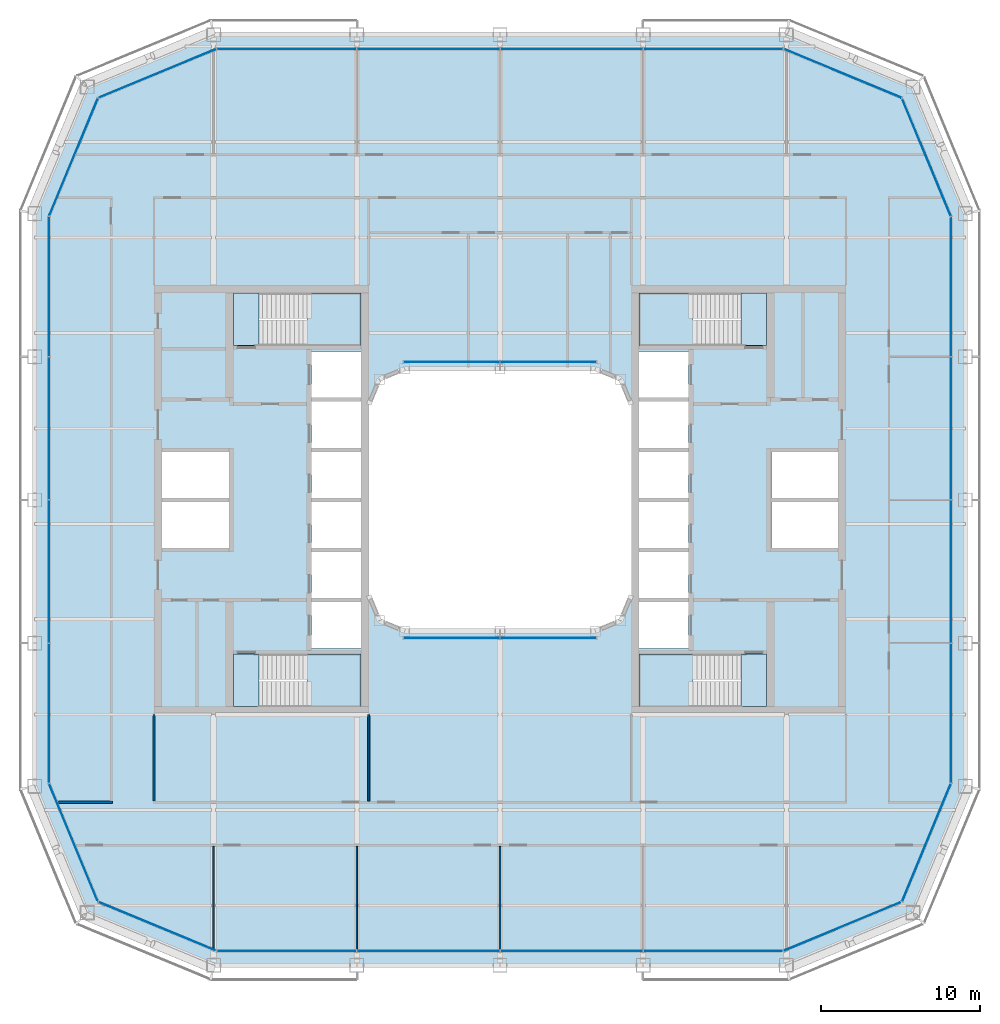
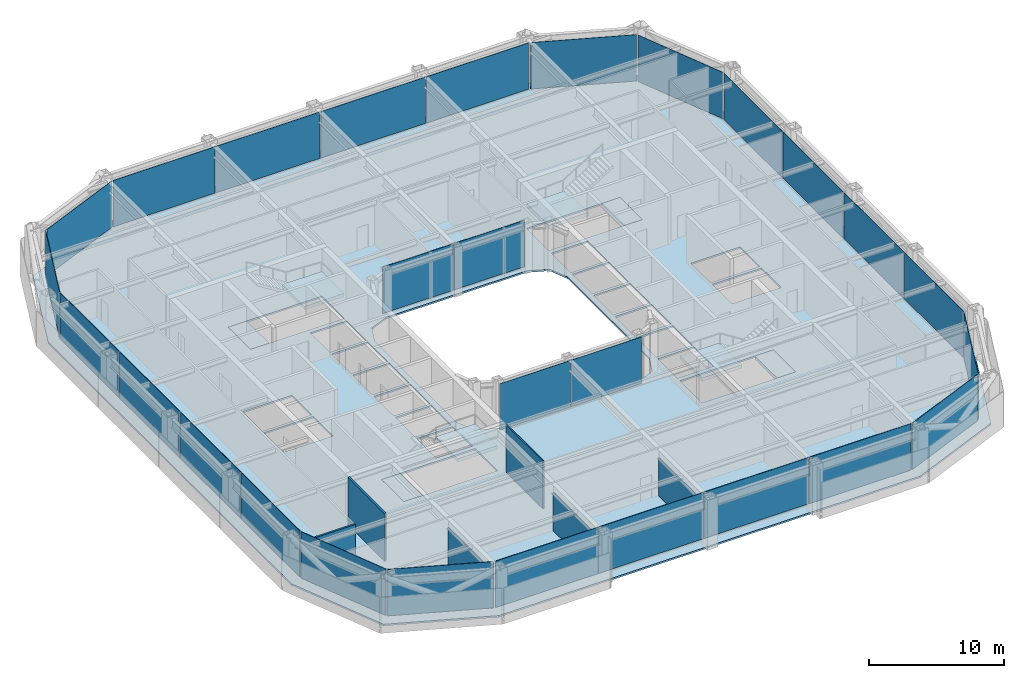
# One storey, part 10 of 21: 28 plates, 9 slabs, 6 walls, 18 elements without a shape of their own.
"""IFC4 building model written with IfcOpenShell, lengths in metres."""

from ifc_helpers import new_model, si_unit, direction, frame, frame_2d, origin, origin_2d, place, context, subcontext, project, spatial, polyline, rectangle, outline, extrude, material, layer, layer_set, type_object, element, aggregate, save


model = new_model("IFC4")

# Units and contexts
model_context = context("Model", 3, precision=1e-05, world=origin(), true_north=direction((0.0, 1.0)))
body_context = subcontext(model_context, "Body", "Model", "MODEL_VIEW")
ifc_project = project(units=[si_unit("LENGTHUNIT", "METRE"), si_unit("AREAUNIT", "SQUARE_METRE"), si_unit("VOLUMEUNIT", "CUBIC_METRE"), si_unit("PLANEANGLEUNIT", "RADIAN"), si_unit("MASSUNIT", "GRAM", prefix="KILO")], contexts=[model_context])

# Site, building, storey
site_placement = place(None, origin())
site = spatial("IfcSite", under=ifc_project, at=site_placement, CompositionType="ELEMENT")
building_placement = place(site_placement, origin())
building = spatial("IfcBuilding", under=site, at=building_placement, Name="Siwar Civic Tower", CompositionType="ELEMENT")
storey_placement = place(building_placement, frame((0.0, 0.0, 176.699951171875)))
storey = spatial("IfcBuildingStorey", under=building, at=storey_placement, Name="L38", CompositionType="ELEMENT", Elevation=176.699951171875)

# Stair, slabs
ifc_material_1 = material(Name="Concrete C40/50", Category="concrete")
stair_type = type_object("IfcStairType", Name="CORE-STAIR", PredefinedType="TWO_STRAIGHT_RUN_STAIR", material=ifc_material_1)
stair_1_placement = place(storey_placement, origin())
stair_1 = element("IfcStair", 1, at=stair_1_placement, inside=storey, type_object=stair_type, Name="Exit stair ST1", PredefinedType="TWO_STRAIGHT_RUN_STAIR")
ifc_material_2 = material(Name="Concrete C40/50", Category="concrete")
ifc_layer_1 = layer(ifc_material_2, 0.300048828125)
ifc_layer_set_1 = layer_set([ifc_layer_1], Name="Concrete C40/50")
slab_type_1 = type_object("IfcSlabType", Name="CORE-STAIR-LANDING", PredefinedType="LANDING", material=ifc_layer_set_1)
slab_1_placement = place(storey_placement, frame((0.0, 0.0, -0.300048828125)))
slab_1 = element("IfcSlab", 2, at=slab_1_placement, type_object=slab_type_1, Name="ST1 landing 1", PredefinedType="LANDING", context=body_context, shape_type="SweptSolid", body=[
    extrude(outline(polyline([(-15.14990234375, 13.0), (-16.75, 13.0), (-16.75, 9.699951171875), (-15.14990234375, 9.699951171875), (-15.14990234375, 13.0)])), origin(), (0.0, 0.0, 1.0), 0.300048828125),
])
slab_2_placement = place(storey_placement, frame((0.0, 0.0, 1.949951171875)))
slab_2 = element("IfcSlab", 3, at=slab_2_placement, type_object=slab_type_1, Name="ST1 landing 2", PredefinedType="LANDING", context=body_context, shape_type="SweptSolid", body=[
    extrude(outline(polyline([(-8.75, 13.0), (-12.139892578125, 13.0), (-12.139892578125, 9.699951171875), (-8.75, 9.699951171875), (-8.75, 13.0)])), origin(), (0.0, 0.0, 1.0), 0.300048828125),
])
aggregate(stair_1, [slab_1, slab_2])

stair_2_placement = place(storey_placement, origin())
stair_2 = element("IfcStair", 4, at=stair_2_placement, inside=storey, type_object=stair_type, Name="Exit stair ST2", PredefinedType="TWO_STRAIGHT_RUN_STAIR")
slab_3_placement = place(storey_placement, frame((0.0, 0.0, -0.300048828125)))
slab_3 = element("IfcSlab", 5, at=slab_3_placement, type_object=slab_type_1, Name="ST2 landing 1", PredefinedType="LANDING", context=body_context, shape_type="SweptSolid", body=[
    extrude(outline(polyline([(-15.14990234375, -9.699951171875), (-16.75, -9.699951171875), (-16.75, -13.0), (-15.14990234375, -13.0), (-15.14990234375, -9.699951171875)])), origin(), (0.0, 0.0, 1.0), 0.300048828125),
])
slab_4_placement = place(storey_placement, frame((0.0, 0.0, 1.949951171875)))
slab_4 = element("IfcSlab", 6, at=slab_4_placement, type_object=slab_type_1, Name="ST2 landing 2", PredefinedType="LANDING", context=body_context, shape_type="SweptSolid", body=[
    extrude(outline(polyline([(-8.75, -9.699951171875), (-12.139892578125, -9.699951171875), (-12.139892578125, -13.0), (-8.75, -13.0), (-8.75, -9.699951171875)])), origin(), (0.0, 0.0, 1.0), 0.300048828125),
])
aggregate(stair_2, [slab_3, slab_4])

stair_3_placement = place(storey_placement, origin())
stair_3 = element("IfcStair", 7, at=stair_3_placement, inside=storey, type_object=stair_type, Name="Exit stair ST3", PredefinedType="TWO_STRAIGHT_RUN_STAIR")
slab_5_placement = place(storey_placement, frame((0.0, 0.0, -0.300048828125)))
slab_5 = element("IfcSlab", 8, at=slab_5_placement, type_object=slab_type_1, Name="ST3 landing 1", PredefinedType="LANDING", context=body_context, shape_type="SweptSolid", body=[
    extrude(outline(polyline([(15.14990234375, 9.699951171875), (16.75, 9.699951171875), (16.75, 13.0), (15.14990234375, 13.0), (15.14990234375, 9.699951171875)])), origin(), (0.0, 0.0, 1.0), 0.300048828125),
])
slab_6_placement = place(storey_placement, frame((0.0, 0.0, 1.949951171875)))
slab_6 = element("IfcSlab", 9, at=slab_6_placement, type_object=slab_type_1, Name="ST3 landing 2", PredefinedType="LANDING", context=body_context, shape_type="SweptSolid", body=[
    extrude(outline(polyline([(8.75, 9.699951171875), (12.139892578125, 9.699951171875), (12.139892578125, 13.0), (8.75, 13.0), (8.75, 9.699951171875)])), origin(), (0.0, 0.0, 1.0), 0.300048828125),
])
aggregate(stair_3, [slab_5, slab_6])

stair_4_placement = place(storey_placement, origin())
stair_4 = element("IfcStair", 10, at=stair_4_placement, inside=storey, type_object=stair_type, Name="Exit stair ST4", PredefinedType="TWO_STRAIGHT_RUN_STAIR")
slab_7_placement = place(storey_placement, frame((0.0, 0.0, -0.300048828125)))
slab_7 = element("IfcSlab", 11, at=slab_7_placement, type_object=slab_type_1, Name="ST4 landing 1", PredefinedType="LANDING", context=body_context, shape_type="SweptSolid", body=[
    extrude(outline(polyline([(15.14990234375, -13.0), (16.75, -13.0), (16.75, -9.699951171875), (15.14990234375, -9.699951171875), (15.14990234375, -13.0)])), origin(), (0.0, 0.0, 1.0), 0.300048828125),
])
slab_8_placement = place(storey_placement, frame((0.0, 0.0, 1.949951171875)))
slab_8 = element("IfcSlab", 12, at=slab_8_placement, type_object=slab_type_1, Name="ST4 landing 2", PredefinedType="LANDING", context=body_context, shape_type="SweptSolid", body=[
    extrude(outline(polyline([(8.75, -13.0), (12.139892578125, -13.0), (12.139892578125, -9.699951171875), (8.75, -9.699951171875), (8.75, -13.0)])), origin(), (0.0, 0.0, 1.0), 0.300048828125),
])
aggregate(stair_4, [slab_7, slab_8])

# Curtain wall, plates
ifc_material_3 = material(Name="Aluminium and glass", Category="aluminium")
ifc_layer_2 = layer(ifc_material_3, 0.199951171875)
ifc_layer_set_2 = layer_set([ifc_layer_2], Name="Aluminium and glass")
curtain_wall_type_1 = type_object("IfcCurtainWallType", Name="ENV-CW-B", PredefinedType="NOTDEFINED", material=ifc_layer_set_2)
curtain_wall_1_placement = place(storey_placement, origin())
curtain_wall_1 = element("IfcCurtainWall", 13, at=curtain_wall_1_placement, inside=storey, type_object=curtain_wall_type_1, Name="Curtain wall B S", PredefinedType="NOTDEFINED")
ifc_material_4 = material(Name="Glass clear laminated", Category="glass")
ifc_layer_3 = layer(ifc_material_4, 0.033935546875)
ifc_layer_set_3 = layer_set([ifc_layer_3], Name="Glass clear laminated")
plate_type_1 = type_object("IfcPlateType", Name="ENV-PANEL-B", PredefinedType="CURTAIN_PANEL", material=ifc_layer_set_3)
plate_1_placement = place(storey_placement, frame((-13.410400390625, -28.35009765625, 0.110107421875), z_axis=(0.0, 0.0, 1.0), x_axis=(1.0, 0.0, 0.0)))
plate_1 = element("IfcPlate", 14, at=plate_1_placement, type_object=plate_type_1, Name="Curtain panel B S 1", PredefinedType="CURTAIN_PANEL", context=body_context, shape_type="SweptSolid", body=[
    extrude(rectangle(XDim=8.755859375, YDim=0.033935546875, at=origin_2d()), origin(), (0.0, 0.0, 1.0), 4.18994140625),
])
plate_2_placement = place(storey_placement, frame((-4.5, -28.35009765625, 0.110107421875), z_axis=(0.0, 0.0, 1.0), x_axis=(1.0, 0.0, 0.0)))
plate_2 = element("IfcPlate", 15, at=plate_2_placement, type_object=plate_type_1, Name="Curtain panel B S 2", PredefinedType="CURTAIN_PANEL", context=body_context, shape_type="SweptSolid", body=[
    extrude(rectangle(XDim=8.93505859375, YDim=0.033935546875, at=origin_2d()), origin(), (0.0, 0.0, 1.0), 4.18994140625),
])
plate_3_placement = place(storey_placement, frame((4.5, -28.35009765625, 0.110107421875), z_axis=(0.0, 0.0, 1.0), x_axis=(1.0, 0.0, 0.0)))
plate_3 = element("IfcPlate", 16, at=plate_3_placement, type_object=plate_type_1, Name="Curtain panel B S 3", PredefinedType="CURTAIN_PANEL", context=body_context, shape_type="SweptSolid", body=[
    extrude(rectangle(XDim=8.93505859375, YDim=0.033935546875, at=origin_2d()), origin(), (0.0, 0.0, 1.0), 4.18994140625),
])
plate_4_placement = place(storey_placement, frame((13.369873046875, -28.35009765625, 0.110107421875), z_axis=(0.0, 0.0, 1.0), x_axis=(1.0, 0.0, 0.0)))
plate_4 = element("IfcPlate", 17, at=plate_4_placement, type_object=plate_type_1, Name="Curtain panel B S 4", PredefinedType="CURTAIN_PANEL", context=body_context, shape_type="SweptSolid", body=[
    extrude(rectangle(XDim=8.6748046875, YDim=0.033935546875, at=origin_2d()), origin(), (0.0, 0.0, 1.0), 4.18994140625),
])
aggregate(curtain_wall_1, [plate_1, plate_2, plate_3, plate_4])

curtain_wall_2_placement = place(storey_placement, origin())
curtain_wall_2 = element("IfcCurtainWall", 18, at=curtain_wall_2_placement, inside=storey, type_object=curtain_wall_type_1, Name="Curtain wall B E", PredefinedType="NOTDEFINED")
plate_5_placement = place(storey_placement, frame((28.35009765625, -13.410400390625, 0.110107421875), z_axis=(0.0, 0.0, 1.0), x_axis=(0.0, 1.0, 0.0)))
plate_5 = element("IfcPlate", 19, at=plate_5_placement, type_object=plate_type_1, Name="Curtain panel B E 1", PredefinedType="CURTAIN_PANEL", context=body_context, shape_type="SweptSolid", body=[
    extrude(rectangle(XDim=8.755859375, YDim=0.033935546875, at=origin_2d()), origin(), (0.0, 0.0, 1.0), 4.18994140625),
])
plate_6_placement = place(storey_placement, frame((28.35009765625, -4.5, 0.110107421875), z_axis=(0.0, 0.0, 1.0), x_axis=(0.0, 1.0, 0.0)))
plate_6 = element("IfcPlate", 20, at=plate_6_placement, type_object=plate_type_1, Name="Curtain panel B E 2", PredefinedType="CURTAIN_PANEL", context=body_context, shape_type="SweptSolid", body=[
    extrude(rectangle(XDim=8.93505859375, YDim=0.033935546875, at=origin_2d()), origin(), (0.0, 0.0, 1.0), 4.18994140625),
])
plate_7_placement = place(storey_placement, frame((28.35009765625, 4.5, 0.110107421875), z_axis=(0.0, 0.0, 1.0), x_axis=(0.0, 1.0, 0.0)))
plate_7 = element("IfcPlate", 21, at=plate_7_placement, type_object=plate_type_1, Name="Curtain panel B E 3", PredefinedType="CURTAIN_PANEL", context=body_context, shape_type="SweptSolid", body=[
    extrude(rectangle(XDim=8.93505859375, YDim=0.033935546875, at=origin_2d()), origin(), (0.0, 0.0, 1.0), 4.18994140625),
])
plate_8_placement = place(storey_placement, frame((28.35009765625, 13.369873046875, 0.110107421875), z_axis=(0.0, 0.0, 1.0), x_axis=(0.0, 1.0, 0.0)))
plate_8 = element("IfcPlate", 22, at=plate_8_placement, type_object=plate_type_1, Name="Curtain panel B E 4", PredefinedType="CURTAIN_PANEL", context=body_context, shape_type="SweptSolid", body=[
    extrude(rectangle(XDim=8.6748046875, YDim=0.033935546875, at=origin_2d()), origin(), (0.0, 0.0, 1.0), 4.18994140625),
])
aggregate(curtain_wall_2, [plate_5, plate_6, plate_7, plate_8])

curtain_wall_3_placement = place(storey_placement, origin())
curtain_wall_3 = element("IfcCurtainWall", 23, at=curtain_wall_3_placement, inside=storey, type_object=curtain_wall_type_1, Name="Curtain wall B N", PredefinedType="NOTDEFINED")
plate_9_placement = place(storey_placement, frame((13.410400390625, 28.35009765625, 0.110107421875), z_axis=(0.0, 0.0, 1.0), x_axis=(-1.0, 0.0, 0.0)))
plate_9 = element("IfcPlate", 24, at=plate_9_placement, type_object=plate_type_1, Name="Curtain panel B N 1", PredefinedType="CURTAIN_PANEL", context=body_context, shape_type="SweptSolid", body=[
    extrude(rectangle(XDim=8.755859375, YDim=0.033935546875, at=origin_2d()), origin(), (0.0, 0.0, 1.0), 4.18994140625),
])
plate_10_placement = place(storey_placement, frame((4.5, 28.35009765625, 0.110107421875), z_axis=(0.0, 0.0, 1.0), x_axis=(-1.0, 0.0, 0.0)))
plate_10 = element("IfcPlate", 25, at=plate_10_placement, type_object=plate_type_1, Name="Curtain panel B N 2", PredefinedType="CURTAIN_PANEL", context=body_context, shape_type="SweptSolid", body=[
    extrude(rectangle(XDim=8.93505859375, YDim=0.033935546875, at=origin_2d()), origin(), (0.0, 0.0, 1.0), 4.18994140625),
])
plate_11_placement = place(storey_placement, frame((-4.5, 28.35009765625, 0.110107421875), z_axis=(0.0, 0.0, 1.0), x_axis=(-1.0, 0.0, 0.0)))
plate_11 = element("IfcPlate", 26, at=plate_11_placement, type_object=plate_type_1, Name="Curtain panel B N 3", PredefinedType="CURTAIN_PANEL", context=body_context, shape_type="SweptSolid", body=[
    extrude(rectangle(XDim=8.93505859375, YDim=0.033935546875, at=origin_2d()), origin(), (0.0, 0.0, 1.0), 4.18994140625),
])
plate_12_placement = place(storey_placement, frame((-13.369873046875, 28.35009765625, 0.110107421875), z_axis=(0.0, 0.0, 1.0), x_axis=(-1.0, 0.0, 0.0)))
plate_12 = element("IfcPlate", 27, at=plate_12_placement, type_object=plate_type_1, Name="Curtain panel B N 4", PredefinedType="CURTAIN_PANEL", context=body_context, shape_type="SweptSolid", body=[
    extrude(rectangle(XDim=8.6748046875, YDim=0.033935546875, at=origin_2d()), origin(), (0.0, 0.0, 1.0), 4.18994140625),
])
aggregate(curtain_wall_3, [plate_9, plate_10, plate_11, plate_12])

curtain_wall_4_placement = place(storey_placement, origin())
curtain_wall_4 = element("IfcCurtainWall", 28, at=curtain_wall_4_placement, inside=storey, type_object=curtain_wall_type_1, Name="Curtain wall B W", PredefinedType="NOTDEFINED")
plate_13_placement = place(storey_placement, frame((-28.35009765625, 13.410400390625, 0.110107421875), z_axis=(0.0, 0.0, 1.0), x_axis=(0.0, -1.0, 0.0)))
plate_13 = element("IfcPlate", 29, at=plate_13_placement, type_object=plate_type_1, Name="Curtain panel B W 1", PredefinedType="CURTAIN_PANEL", context=body_context, shape_type="SweptSolid", body=[
    extrude(rectangle(XDim=8.755859375, YDim=0.033935546875, at=origin_2d()), origin(), (0.0, 0.0, 1.0), 4.18994140625),
])
plate_14_placement = place(storey_placement, frame((-28.35009765625, 4.5, 0.110107421875), z_axis=(0.0, 0.0, 1.0), x_axis=(0.0, -1.0, 0.0)))
plate_14 = element("IfcPlate", 30, at=plate_14_placement, type_object=plate_type_1, Name="Curtain panel B W 2", PredefinedType="CURTAIN_PANEL", context=body_context, shape_type="SweptSolid", body=[
    extrude(rectangle(XDim=8.93505859375, YDim=0.033935546875, at=origin_2d()), origin(), (0.0, 0.0, 1.0), 4.18994140625),
])
plate_15_placement = place(storey_placement, frame((-28.35009765625, -4.5, 0.110107421875), z_axis=(0.0, 0.0, 1.0), x_axis=(0.0, -1.0, 0.0)))
plate_15 = element("IfcPlate", 31, at=plate_15_placement, type_object=plate_type_1, Name="Curtain panel B W 3", PredefinedType="CURTAIN_PANEL", context=body_context, shape_type="SweptSolid", body=[
    extrude(rectangle(XDim=8.93505859375, YDim=0.033935546875, at=origin_2d()), origin(), (0.0, 0.0, 1.0), 4.18994140625),
])
plate_16_placement = place(storey_placement, frame((-28.35009765625, -13.369873046875, 0.110107421875), z_axis=(0.0, 0.0, 1.0), x_axis=(0.0, -1.0, 0.0)))
plate_16 = element("IfcPlate", 32, at=plate_16_placement, type_object=plate_type_1, Name="Curtain panel B W 4", PredefinedType="CURTAIN_PANEL", context=body_context, shape_type="SweptSolid", body=[
    extrude(rectangle(XDim=8.6748046875, YDim=0.033935546875, at=origin_2d()), origin(), (0.0, 0.0, 1.0), 4.18994140625),
])
aggregate(curtain_wall_4, [plate_13, plate_14, plate_15, plate_16])

# Curtain wall, plate
ifc_material_5 = material(Name="Aluminium clad insulated panel", Category="aluminium")
ifc_layer_4 = layer(ifc_material_5, 0.199951171875)
ifc_layer_set_4 = layer_set([ifc_layer_4], Name="Aluminium clad insulated panel")
curtain_wall_type_2 = type_object("IfcCurtainWallType", Name="ENV-CW-BX", PredefinedType="NOTDEFINED", material=ifc_layer_set_4)
curtain_wall_5_placement = place(storey_placement, origin())
curtain_wall_5 = element("IfcCurtainWall", 33, at=curtain_wall_5_placement, inside=storey, type_object=curtain_wall_type_2, Name="Curtain wall B SE1", PredefinedType="NOTDEFINED")
ifc_material_6 = material(Name="Aluminium clad insulated panel", Category="aluminium")
ifc_layer_5 = layer(ifc_material_6, 0.033935546875)
ifc_layer_set_5 = layer_set([ifc_layer_5], Name="Aluminium clad insulated panel")
plate_type_2 = type_object("IfcPlateType", Name="ENV-PANEL-BX", PredefinedType="CURTAIN_PANEL", material=ifc_layer_set_5)
plate_17_placement = place(storey_placement, frame((21.506103515625, -26.823486328125, 0.110107421875), z_axis=(0.0, 0.0, 1.0), x_axis=(0.923879532511, 0.382683432365, 0.0)))
plate_17 = element("IfcPlate", 34, at=plate_17_placement, type_object=plate_type_2, Name="Curtain panel B SE1 1", PredefinedType="CURTAIN_PANEL", context=body_context, shape_type="SweptSolid", body=[
    extrude(rectangle(XDim=7.912353515625, YDim=0.033935546875, at=origin_2d()), origin(), (0.0, 0.0, 1.0), 4.18994140625),
])
aggregate(curtain_wall_5, [plate_17])

curtain_wall_6_placement = place(storey_placement, origin())
curtain_wall_6 = element("IfcCurtainWall", 35, at=curtain_wall_6_placement, inside=storey, type_object=curtain_wall_type_2, Name="Curtain wall B SE2", PredefinedType="NOTDEFINED")
plate_18_placement = place(storey_placement, frame((26.79248046875, -21.5810546875, 0.110107421875), z_axis=(0.0, 0.0, 1.0), x_axis=(0.382683432365, 0.923879532511, 0.0)))
plate_18 = element("IfcPlate", 36, at=plate_18_placement, type_object=plate_type_2, Name="Curtain panel B SE2 1", PredefinedType="CURTAIN_PANEL", context=body_context, shape_type="SweptSolid", body=[
    extrude(rectangle(XDim=7.912353515625, YDim=0.033935546875, at=origin_2d()), origin(), (0.0, 0.0, 1.0), 4.18994140625),
])
aggregate(curtain_wall_6, [plate_18])

curtain_wall_7_placement = place(storey_placement, origin())
curtain_wall_7 = element("IfcCurtainWall", 37, at=curtain_wall_7_placement, inside=storey, type_object=curtain_wall_type_2, Name="Curtain wall B NE1", PredefinedType="NOTDEFINED")
plate_19_placement = place(storey_placement, frame((26.823486328125, 21.506103515625, 0.110107421875), z_axis=(0.0, 0.0, 1.0), x_axis=(-0.382683432365, 0.923879532511, 0.0)))
plate_19 = element("IfcPlate", 38, at=plate_19_placement, type_object=plate_type_2, Name="Curtain panel B NE1 1", PredefinedType="CURTAIN_PANEL", context=body_context, shape_type="SweptSolid", body=[
    extrude(rectangle(XDim=7.912353515625, YDim=0.033935546875, at=origin_2d()), origin(), (0.0, 0.0, 1.0), 4.18994140625),
])
aggregate(curtain_wall_7, [plate_19])

curtain_wall_8_placement = place(storey_placement, origin())
curtain_wall_8 = element("IfcCurtainWall", 39, at=curtain_wall_8_placement, inside=storey, type_object=curtain_wall_type_2, Name="Curtain wall B NE2", PredefinedType="NOTDEFINED")
plate_20_placement = place(storey_placement, frame((21.5810546875, 26.79248046875, 0.110107421875), z_axis=(0.0, 0.0, 1.0), x_axis=(-0.923879532511, 0.382683432365, 0.0)))
plate_20 = element("IfcPlate", 40, at=plate_20_placement, type_object=plate_type_2, Name="Curtain panel B NE2 1", PredefinedType="CURTAIN_PANEL", context=body_context, shape_type="SweptSolid", body=[
    extrude(rectangle(XDim=7.912353515625, YDim=0.033935546875, at=origin_2d()), origin(), (0.0, 0.0, 1.0), 4.18994140625),
])
aggregate(curtain_wall_8, [plate_20])

curtain_wall_9_placement = place(storey_placement, origin())
curtain_wall_9 = element("IfcCurtainWall", 41, at=curtain_wall_9_placement, inside=storey, type_object=curtain_wall_type_2, Name="Curtain wall B NW1", PredefinedType="NOTDEFINED")
plate_21_placement = place(storey_placement, frame((-21.506103515625, 26.823486328125, 0.110107421875), z_axis=(0.0, 0.0, 1.0), x_axis=(-0.923879532511, -0.382683432365, 0.0)))
plate_21 = element("IfcPlate", 42, at=plate_21_placement, type_object=plate_type_2, Name="Curtain panel B NW1 1", PredefinedType="CURTAIN_PANEL", context=body_context, shape_type="SweptSolid", body=[
    extrude(rectangle(XDim=7.912353515625, YDim=0.033935546875, at=origin_2d()), origin(), (0.0, 0.0, 1.0), 4.18994140625),
])
aggregate(curtain_wall_9, [plate_21])

curtain_wall_10_placement = place(storey_placement, origin())
curtain_wall_10 = element("IfcCurtainWall", 43, at=curtain_wall_10_placement, inside=storey, type_object=curtain_wall_type_2, Name="Curtain wall B NW2", PredefinedType="NOTDEFINED")
plate_22_placement = place(storey_placement, frame((-26.79248046875, 21.5810546875, 0.110107421875), z_axis=(0.0, 0.0, 1.0), x_axis=(-0.382683432365, -0.923879532511, 0.0)))
plate_22 = element("IfcPlate", 44, at=plate_22_placement, type_object=plate_type_2, Name="Curtain panel B NW2 1", PredefinedType="CURTAIN_PANEL", context=body_context, shape_type="SweptSolid", body=[
    extrude(rectangle(XDim=7.912353515625, YDim=0.033935546875, at=origin_2d()), origin(), (0.0, 0.0, 1.0), 4.18994140625),
])
aggregate(curtain_wall_10, [plate_22])

curtain_wall_11_placement = place(storey_placement, origin())
curtain_wall_11 = element("IfcCurtainWall", 45, at=curtain_wall_11_placement, inside=storey, type_object=curtain_wall_type_2, Name="Curtain wall B SW1", PredefinedType="NOTDEFINED")
plate_23_placement = place(storey_placement, frame((-26.823486328125, -21.506103515625, 0.110107421875), z_axis=(0.0, 0.0, 1.0), x_axis=(0.382683432365, -0.923879532511, 0.0)))
plate_23 = element("IfcPlate", 46, at=plate_23_placement, type_object=plate_type_2, Name="Curtain panel B SW1 1", PredefinedType="CURTAIN_PANEL", context=body_context, shape_type="SweptSolid", body=[
    extrude(rectangle(XDim=7.912353515625, YDim=0.033935546875, at=origin_2d()), origin(), (0.0, 0.0, 1.0), 4.18994140625),
])
aggregate(curtain_wall_11, [plate_23])

curtain_wall_12_placement = place(storey_placement, origin())
curtain_wall_12 = element("IfcCurtainWall", 47, at=curtain_wall_12_placement, inside=storey, type_object=curtain_wall_type_2, Name="Curtain wall B SW2", PredefinedType="NOTDEFINED")
plate_24_placement = place(storey_placement, frame((-21.5810546875, -26.79248046875, 0.110107421875), z_axis=(0.0, 0.0, 1.0), x_axis=(0.923879532511, -0.382683432365, 0.0)))
plate_24 = element("IfcPlate", 48, at=plate_24_placement, type_object=plate_type_2, Name="Curtain panel B SW2 1", PredefinedType="CURTAIN_PANEL", context=body_context, shape_type="SweptSolid", body=[
    extrude(rectangle(XDim=7.912353515625, YDim=0.033935546875, at=origin_2d()), origin(), (0.0, 0.0, 1.0), 4.18994140625),
])
aggregate(curtain_wall_12, [plate_24])

# Curtain wall, plates
ifc_material_7 = material(Name="Aluminium and glass", Category="aluminium")
ifc_layer_6 = layer(ifc_material_7, 0.179931640625)
ifc_layer_set_6 = layer_set([ifc_layer_6], Name="Aluminium and glass")
curtain_wall_type_3 = type_object("IfcCurtainWallType", Name="ENV-CW-W", PredefinedType="NOTDEFINED", material=ifc_layer_set_6)
curtain_wall_13_placement = place(storey_placement, origin())
curtain_wall_13 = element("IfcCurtainWall", 49, at=curtain_wall_13_placement, inside=storey, type_object=curtain_wall_type_3, Name="Curtain wall W WS", PredefinedType="NOTDEFINED")
ifc_material_8 = material(Name="Glass clear laminated", Category="glass")
ifc_layer_7 = layer(ifc_material_8, 0.031982421875)
ifc_layer_set_7 = layer_set([ifc_layer_7], Name="Glass clear laminated")
plate_type_3 = type_object("IfcPlateType", Name="ENV-PANEL-W", PredefinedType="CURTAIN_PANEL", material=ifc_layer_set_7)
plate_25_placement = place(storey_placement, frame((-3.043212890625, -8.68505859375, 0.10009765625), z_axis=(0.0, 0.0, 1.0), x_axis=(1.0, 0.0, 0.0)))
plate_25 = element("IfcPlate", 50, at=plate_25_placement, type_object=plate_type_3, Name="Curtain panel W WS 1", PredefinedType="CURTAIN_PANEL", context=body_context, shape_type="SweptSolid", body=[
    extrude(rectangle(XDim=6.026611328125, YDim=0.031982421875, at=origin_2d()), origin(), (0.0, 0.0, 1.0), 4.199951171875),
])
plate_26_placement = place(storey_placement, frame((3.043212890625, -8.68505859375, 0.10009765625), z_axis=(0.0, 0.0, 1.0), x_axis=(1.0, 0.0, 0.0)))
plate_26 = element("IfcPlate", 51, at=plate_26_placement, type_object=plate_type_3, Name="Curtain panel W WS 2", PredefinedType="CURTAIN_PANEL", context=body_context, shape_type="SweptSolid", body=[
    extrude(rectangle(XDim=6.026611328125, YDim=0.031982421875, at=origin_2d()), origin(), (0.0, 0.0, 1.0), 4.199951171875),
])
aggregate(curtain_wall_13, [plate_25, plate_26])

curtain_wall_14_placement = place(storey_placement, origin())
curtain_wall_14 = element("IfcCurtainWall", 52, at=curtain_wall_14_placement, inside=storey, type_object=curtain_wall_type_3, Name="Curtain wall W WN", PredefinedType="NOTDEFINED")
plate_27_placement = place(storey_placement, frame((3.043212890625, 8.68505859375, 0.10009765625), z_axis=(0.0, 0.0, 1.0), x_axis=(-1.0, 0.0, 0.0)))
plate_27 = element("IfcPlate", 53, at=plate_27_placement, type_object=plate_type_3, Name="Curtain panel W WN 1", PredefinedType="CURTAIN_PANEL", context=body_context, shape_type="SweptSolid", body=[
    extrude(rectangle(XDim=6.026611328125, YDim=0.031982421875, at=origin_2d()), origin(), (0.0, 0.0, 1.0), 4.199951171875),
])
plate_28_placement = place(storey_placement, frame((-3.043212890625, 8.68505859375, 0.10009765625), z_axis=(0.0, 0.0, 1.0), x_axis=(-1.0, 0.0, 0.0)))
plate_28 = element("IfcPlate", 54, at=plate_28_placement, type_object=plate_type_3, Name="Curtain panel W WN 2", PredefinedType="CURTAIN_PANEL", context=body_context, shape_type="SweptSolid", body=[
    extrude(rectangle(XDim=6.026611328125, YDim=0.031982421875, at=origin_2d()), origin(), (0.0, 0.0, 1.0), 4.199951171875),
])
aggregate(curtain_wall_14, [plate_27, plate_28])

# Slab
ifc_material_9 = material(Name="Concrete C40/50", Category="concrete")
ifc_layer_8 = layer(ifc_material_9, 0.14990234375)
ifc_layer_set_8 = layer_set([ifc_layer_8], Name="Concrete C40/50")
slab_type_2 = type_object("IfcSlabType", Name="STR-FLOOR-DECK-150", PredefinedType="FLOOR", material=ifc_layer_set_8)
slab_9_placement = place(storey_placement, frame((0.0, 0.0, -0.14990234375)))
element("IfcSlab", 55, at=slab_9_placement, inside=storey, type_object=slab_type_2, Name="L38/slab/1", PredefinedType="FLOOR", context=body_context, shape_type="SweptSolid", body=[
    extrude(outline(polyline([(-18.0, -29.25), (18.0, -29.25), (25.954833984375, -25.954833984375), (29.25, -18.0), (29.25, 18.0), (25.954833984375, 25.954833984375), (18.0, 29.25), (-18.0, 29.25), (-25.954833984375, 25.954833984375), (-29.25, 18.0), (-29.25, -18.0), (-25.954833984375, -25.954833984375), (-18.0, -29.25)]), holes=[polyline([(21.25, 3.02490234375), (21.25, 0.125), (17.050048828125, 0.125), (17.050048828125, 3.02490234375), (21.25, 3.02490234375)]), polyline([(17.050048828125, -0.125), (21.25, -0.125), (21.25, -3.02490234375), (17.050048828125, -3.02490234375), (17.050048828125, -0.125)]), polyline([(16.75, 13.0), (16.75, 9.699951171875), (8.75, 9.699951171875), (8.75, 13.0), (16.75, 13.0)]), polyline([(8.75, -9.699951171875), (16.75, -9.699951171875), (16.75, -13.0), (8.75, -13.0), (8.75, -9.699951171875)]), polyline([(11.85009765625, 9.324951171875), (11.85009765625, 6.425048828125), (8.75, 6.425048828125), (8.75, 9.324951171875), (11.85009765625, 9.324951171875)]), polyline([(11.85009765625, 3.02490234375), (11.85009765625, 0.125), (8.75, 0.125), (8.75, 3.02490234375), (11.85009765625, 3.02490234375)]), polyline([(11.85009765625, -0.125), (11.85009765625, -3.02490234375), (8.75, -3.02490234375), (8.75, -0.125), (11.85009765625, -0.125)]), polyline([(11.85009765625, -3.27490234375), (11.85009765625, -6.175048828125), (8.75, -6.175048828125), (8.75, -3.27490234375), (11.85009765625, -3.27490234375)]), polyline([(8.75, 6.175048828125), (11.85009765625, 6.175048828125), (11.85009765625, 3.27490234375), (8.75, 3.27490234375), (8.75, 6.175048828125)]), polyline([(8.75, -6.425048828125), (11.85009765625, -6.425048828125), (11.85009765625, -9.324951171875), (8.75, -9.324951171875), (8.75, -6.425048828125)]), polyline([(-6.0, 8.25), (6.0, 8.25), (7.591064453125, 7.591064453125), (8.25, 6.0), (8.25, -6.0), (7.591064453125, -7.591064453125), (6.0, -8.25), (-6.0, -8.25), (-7.591064453125, -7.591064453125), (-8.25, -6.0), (-8.25, 6.0), (-7.591064453125, 7.591064453125), (-6.0, 8.25)]), polyline([(-8.75, 9.699951171875), (-16.75, 9.699951171875), (-16.75, 13.0), (-8.75, 13.0), (-8.75, 9.699951171875)]), polyline([(-8.75, 0.125), (-11.85009765625, 0.125), (-11.85009765625, 3.02490234375), (-8.75, 3.02490234375), (-8.75, 0.125)]), polyline([(-8.75, -6.175048828125), (-11.85009765625, -6.175048828125), (-11.85009765625, -3.27490234375), (-8.75, -3.27490234375), (-8.75, -6.175048828125)]), polyline([(-8.75, -9.324951171875), (-11.85009765625, -9.324951171875), (-11.85009765625, -6.425048828125), (-8.75, -6.425048828125), (-8.75, -9.324951171875)]), polyline([(-8.75, -13.0), (-16.75, -13.0), (-16.75, -9.699951171875), (-8.75, -9.699951171875), (-8.75, -13.0)]), polyline([(-11.85009765625, 6.425048828125), (-11.85009765625, 9.324951171875), (-8.75, 9.324951171875), (-8.75, 6.425048828125), (-11.85009765625, 6.425048828125)]), polyline([(-11.85009765625, 3.27490234375), (-11.85009765625, 6.175048828125), (-8.75, 6.175048828125), (-8.75, 3.27490234375), (-11.85009765625, 3.27490234375)]), polyline([(-11.85009765625, -3.02490234375), (-11.85009765625, -0.125), (-8.75, -0.125), (-8.75, -3.02490234375), (-11.85009765625, -3.02490234375)]), polyline([(-21.25, -3.02490234375), (-21.25, -0.125), (-17.050048828125, -0.125), (-17.050048828125, -3.02490234375), (-21.25, -3.02490234375)]), polyline([(-17.050048828125, 0.125), (-21.25, 0.125), (-21.25, 3.02490234375), (-17.050048828125, 3.02490234375), (-17.050048828125, 0.125)])]), origin(), (0.0, 0.0, 1.0), 0.14990234375),
])

# Walls
ifc_material_10 = material(Name="Gypsum board on steel studs", Category="steel")
ifc_layer_9 = layer(ifc_material_10, 0.14990234375)
ifc_layer_set_9 = layer_set([ifc_layer_9], Name="Gypsum board on steel studs")
wall_type_1 = type_object("IfcWallType", Name="CORRIDOR PARTITION 150 EI 30", PredefinedType="PARTITIONING", material=ifc_layer_set_9)
wall_1_placement = place(storey_placement, frame((-27.763916015625, -19.0, 0.0), z_axis=(0.0, 0.0, 1.0), x_axis=(1.0, 0.0, 0.0)))
element("IfcWall", 56, at=wall_1_placement, inside=storey, type_object=wall_type_1, Name="L38/wall/P02", PredefinedType="PARTITIONING", context=body_context, shape_type="SweptSolid", body=[
    extrude(rectangle(XDim=3.388916015625, YDim=0.14990234375, at=frame_2d((1.6943359375, 0.0))), origin(), (0.0, 0.0, 1.0), 4.300048828125),
])
wall_2_placement = place(storey_placement, frame((-21.75, -18.925048828125, 0.0), z_axis=(0.0, 0.0, 1.0), x_axis=(0.0, 1.0, 0.0)))
element("IfcWall", 57, at=wall_2_placement, inside=storey, type_object=wall_type_1, Name="L38/wall/P15", PredefinedType="PARTITIONING", context=body_context, shape_type="SweptSolid", body=[
    extrude(rectangle(XDim=5.425048828125, YDim=0.14990234375, at=frame_2d((2.71240234375, 0.0))), origin(), (0.0, 0.0, 1.0), 4.300048828125),
])
ifc_material_11 = material(Name="Gypsum board on steel studs", Category="steel")
ifc_layer_10 = layer(ifc_material_11, 0.10009765625)
ifc_layer_set_10 = layer_set([ifc_layer_10], Name="Gypsum board on steel studs")
wall_type_2 = type_object("IfcWallType", Name="PARTITION 100 GYPSUM", PredefinedType="PARTITIONING", material=ifc_layer_set_10)
wall_3_placement = place(storey_placement, frame((-18.0, -28.177978515625, 0.0), z_axis=(0.0, 0.0, 1.0), x_axis=(0.0, 1.0, 0.0)))
element("IfcWall", 58, at=wall_3_placement, inside=storey, type_object=wall_type_2, Name="L38/wall/P17", PredefinedType="PARTITIONING", context=body_context, shape_type="SweptSolid", body=[
    extrude(rectangle(XDim=6.403076171875, YDim=0.10009765625, at=frame_2d((3.20166015625, 0.0))), origin(), (0.0, 0.0, 1.0), 3.400146484375),
])
wall_4_placement = place(storey_placement, frame((-9.0, -28.260009765625, 0.0), z_axis=(0.0, 0.0, 1.0), x_axis=(0.0, 1.0, 0.0)))
element("IfcWall", 59, at=wall_4_placement, inside=storey, type_object=wall_type_2, Name="L38/wall/P19", PredefinedType="PARTITIONING", context=body_context, shape_type="SweptSolid", body=[
    extrude(rectangle(XDim=6.485107421875, YDim=0.10009765625, at=frame_2d((3.24267578125, 0.0))), origin(), (0.0, 0.0, 1.0), 3.400146484375),
])
wall_5_placement = place(storey_placement, frame((-8.25, -18.925048828125, 0.0), z_axis=(0.0, 0.0, 1.0), x_axis=(0.0, 1.0, 0.0)))
element("IfcWall", 60, at=wall_5_placement, inside=storey, type_object=wall_type_2, Name="L38/wall/P21", PredefinedType="PARTITIONING", context=body_context, shape_type="SweptSolid", body=[
    extrude(rectangle(XDim=5.425048828125, YDim=0.10009765625, at=frame_2d((2.71240234375, 0.0))), origin(), (0.0, 0.0, 1.0), 4.300048828125),
])
wall_6_placement = place(storey_placement, frame((0.0, -28.260009765625, 0.0), z_axis=(0.0, 0.0, 1.0), x_axis=(0.0, 1.0, 0.0)))
element("IfcWall", 61, at=wall_6_placement, inside=storey, type_object=wall_type_2, Name="L38/wall/P24", PredefinedType="PARTITIONING", context=body_context, shape_type="SweptSolid", body=[
    extrude(rectangle(XDim=6.485107421875, YDim=0.10009765625, at=frame_2d((3.24267578125, 0.0))), origin(), (0.0, 0.0, 1.0), 3.400146484375),
])

save(model, "model.ifc")
